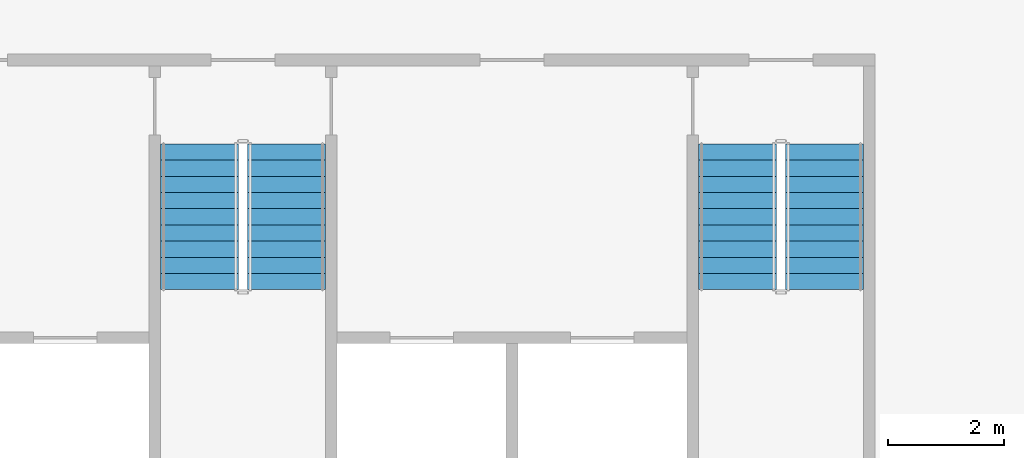
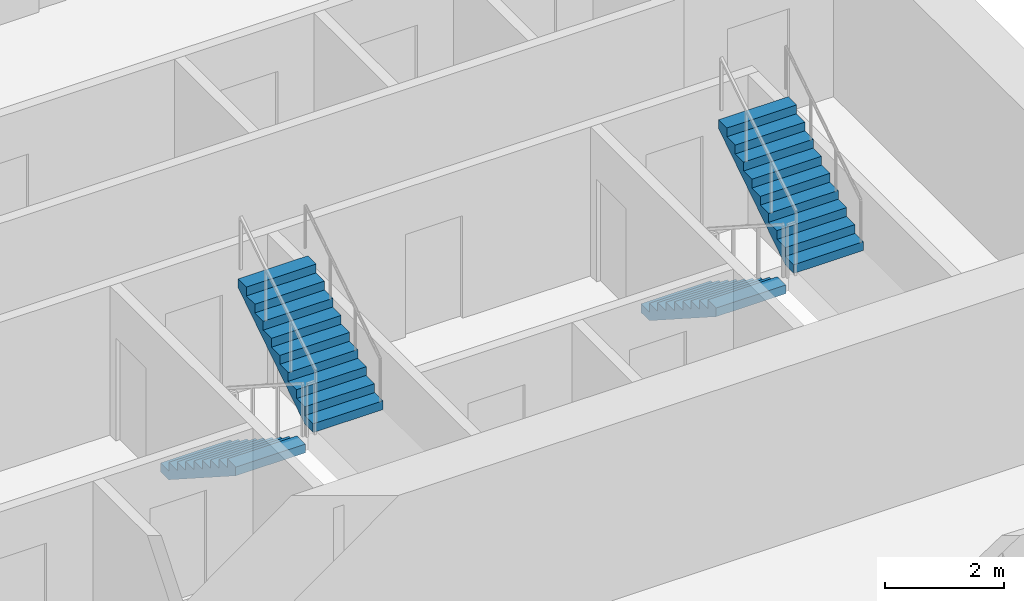
# One storey, part 11 of 15: 4 stair flights, 2 elements without a shape of their own.
"""IFC4 building model written with IfcOpenShell, lengths in metres."""

from ifc_helpers import new_model, si_unit, direction, frame, origin, place, context, subcontext, project, spatial, polyline, outline, extrude, material, type_object, element, aggregate, save


model = new_model("IFC4")

# Units and contexts
model_context = context("Model", 3, precision=1e-05, world=origin(), true_north=direction((0.0, 1.0)))
body_context = subcontext(model_context, "Body", "Model", "MODEL_VIEW")
ifc_project = project(units=[si_unit("LENGTHUNIT", "METRE"), si_unit("AREAUNIT", "SQUARE_METRE"), si_unit("VOLUMEUNIT", "CUBIC_METRE"), si_unit("PLANEANGLEUNIT", "RADIAN"), si_unit("MASSUNIT", "GRAM", prefix="KILO")], contexts=[model_context])

# Site, building, storey
site_placement = place(None, origin())
site = spatial("IfcSite", under=ifc_project, at=site_placement, CompositionType="ELEMENT")
building_placement = place(site_placement, origin())
building = spatial("IfcBuilding", under=site, at=building_placement, Name="Mangrove Gate Tower", CompositionType="ELEMENT")
storey_placement = place(building_placement, frame((0.0, 0.0, 156.300048828125)))
storey = spatial("IfcBuildingStorey", under=building, at=storey_placement, Name="L39", CompositionType="ELEMENT", Elevation=156.300048828125)

# Stair, stair flights
ifc_material_1 = material(Name="Concrete C40/50", Category="concrete")
stair_type = type_object("IfcStairType", Name="Core stair 1350", PredefinedType="HALF_TURN_STAIR", material=ifc_material_1)
stair_1_placement = place(storey_placement, origin())
stair_1 = element("IfcStair", 1, at=stair_1_placement, inside=storey, type_object=stair_type, Name="L39 Stair 2", PredefinedType="HALF_TURN_STAIR")
ifc_material_2 = material(Name="Concrete C40/50", Category="concrete")
stair_flight_type = type_object("IfcStairFlightType", Name="Core stair flight 1350", PredefinedType="STRAIGHT", material=ifc_material_2)
stair_flight_1_placement = place(storey_placement, frame((-0.77490234375, -4.64990234375, 0.0), z_axis=(0.0, 0.0, 1.0), x_axis=(0.0, -1.0, 0.0)))
stair_flight_1 = element("IfcStairFlight", 2, at=stair_flight_1_placement, type_object=stair_flight_type, Name="ST2 flight 1", NumberOfRisers=10, NumberOfTreads=9, PredefinedType="STRAIGHT", RiserHeight=0.18, TreadLength=0.28, context=body_context, shape_type="SweptSolid", body=[
    extrude(outline(polyline([(0.0, 0.0), (0.0, 0.179931640625), (0.280029296875, 0.179931640625), (0.280029296875, 0.360107421875), (0.56005859375, 0.360107421875), (0.56005859375, 0.5400390625), (0.840087890625, 0.5400390625), (0.840087890625, 0.719970703125), (1.1201171875, 0.719970703125), (1.1201171875, 0.89990234375), (1.39990234375, 0.89990234375), (1.39990234375, 1.080078125), (1.679931640625, 1.080078125), (1.679931640625, 1.260009765625), (1.9599609375, 1.260009765625), (1.9599609375, 1.43994140625), (2.239990234375, 1.43994140625), (2.239990234375, 1.6201171875), (2.52001953125, 1.6201171875), (2.52001953125, 1.800048828125), (2.52001953125, 1.44189453125), (0.277099609375, 0.0), (0.0, 0.0)])), frame((0.0, 0.675048828125, 0.0), z_axis=(0.0, -1.0, 0.0), x_axis=(1.0, 0.0, 0.0)), (0.0, 0.0, 1.0), 1.35009765625),
])
stair_flight_2_placement = place(storey_placement, frame((0.72509765625, -7.169921875, 1.800048828125), z_axis=(0.0, 0.0, 1.0), x_axis=(0.0, 1.0, 0.0)))
stair_flight_2 = element("IfcStairFlight", 3, at=stair_flight_2_placement, type_object=stair_flight_type, Name="ST2 flight 2", NumberOfRisers=10, NumberOfTreads=9, PredefinedType="STRAIGHT", RiserHeight=0.18, TreadLength=0.28, context=body_context, shape_type="SweptSolid", body=[
    extrude(outline(polyline([(0.0, 0.0), (0.0, 0.179931640625), (0.280029296875, 0.179931640625), (0.280029296875, 0.360107421875), (0.56005859375, 0.360107421875), (0.56005859375, 0.5400390625), (0.840087890625, 0.5400390625), (0.840087890625, 0.719970703125), (1.1201171875, 0.719970703125), (1.1201171875, 0.89990234375), (1.39990234375, 0.89990234375), (1.39990234375, 1.080078125), (1.679931640625, 1.080078125), (1.679931640625, 1.260009765625), (1.9599609375, 1.260009765625), (1.9599609375, 1.43994140625), (2.239990234375, 1.43994140625), (2.239990234375, 1.6201171875), (2.52001953125, 1.6201171875), (2.52001953125, 1.800048828125), (2.52001953125, 1.44189453125), (0.277099609375, 0.0), (0.0, 0.0)])), frame((0.0, 0.675048828125, 0.0), z_axis=(0.0, -1.0, 0.0), x_axis=(1.0, 0.0, 0.0)), (0.0, 0.0, 1.0), 1.35009765625),
])
aggregate(stair_1, [stair_flight_1, stair_flight_2])

stair_2_placement = place(storey_placement, origin())
stair_2 = element("IfcStair", 4, at=stair_2_placement, inside=storey, type_object=stair_type, Name="L39 Stair 3", PredefinedType="HALF_TURN_STAIR")
stair_flight_3_placement = place(storey_placement, frame((8.52490234375, -4.64990234375, 0.0), z_axis=(0.0, 0.0, 1.0), x_axis=(0.0, -1.0, 0.0)))
stair_flight_3 = element("IfcStairFlight", 5, at=stair_flight_3_placement, type_object=stair_flight_type, Name="ST3 flight 1", NumberOfRisers=10, NumberOfTreads=9, PredefinedType="STRAIGHT", RiserHeight=0.18, TreadLength=0.28, context=body_context, shape_type="SweptSolid", body=[
    extrude(outline(polyline([(0.0, 0.0), (0.0, 0.179931640625), (0.280029296875, 0.179931640625), (0.280029296875, 0.360107421875), (0.56005859375, 0.360107421875), (0.56005859375, 0.5400390625), (0.840087890625, 0.5400390625), (0.840087890625, 0.719970703125), (1.1201171875, 0.719970703125), (1.1201171875, 0.89990234375), (1.39990234375, 0.89990234375), (1.39990234375, 1.080078125), (1.679931640625, 1.080078125), (1.679931640625, 1.260009765625), (1.9599609375, 1.260009765625), (1.9599609375, 1.43994140625), (2.239990234375, 1.43994140625), (2.239990234375, 1.6201171875), (2.52001953125, 1.6201171875), (2.52001953125, 1.800048828125), (2.52001953125, 1.44189453125), (0.277099609375, 0.0), (0.0, 0.0)])), frame((0.0, 0.675048828125, 0.0), z_axis=(0.0, -1.0, 0.0), x_axis=(1.0, 0.0, 0.0)), (0.0, 0.0, 1.0), 1.35009765625),
])
stair_flight_4_placement = place(storey_placement, frame((10.02490234375, -7.169921875, 1.800048828125), z_axis=(0.0, 0.0, 1.0), x_axis=(0.0, 1.0, 0.0)))
stair_flight_4 = element("IfcStairFlight", 6, at=stair_flight_4_placement, type_object=stair_flight_type, Name="ST3 flight 2", NumberOfRisers=10, NumberOfTreads=9, PredefinedType="STRAIGHT", RiserHeight=0.18, TreadLength=0.28, context=body_context, shape_type="SweptSolid", body=[
    extrude(outline(polyline([(0.0, 0.0), (0.0, 0.179931640625), (0.280029296875, 0.179931640625), (0.280029296875, 0.360107421875), (0.56005859375, 0.360107421875), (0.56005859375, 0.5400390625), (0.840087890625, 0.5400390625), (0.840087890625, 0.719970703125), (1.1201171875, 0.719970703125), (1.1201171875, 0.89990234375), (1.39990234375, 0.89990234375), (1.39990234375, 1.080078125), (1.679931640625, 1.080078125), (1.679931640625, 1.260009765625), (1.9599609375, 1.260009765625), (1.9599609375, 1.43994140625), (2.239990234375, 1.43994140625), (2.239990234375, 1.6201171875), (2.52001953125, 1.6201171875), (2.52001953125, 1.800048828125), (2.52001953125, 1.44189453125), (0.277099609375, 0.0), (0.0, 0.0)])), frame((0.0, 0.675048828125, 0.0), z_axis=(0.0, -1.0, 0.0), x_axis=(1.0, 0.0, 0.0)), (0.0, 0.0, 1.0), 1.35009765625),
])
aggregate(stair_2, [stair_flight_3, stair_flight_4])

save(model, "model.ifc")
